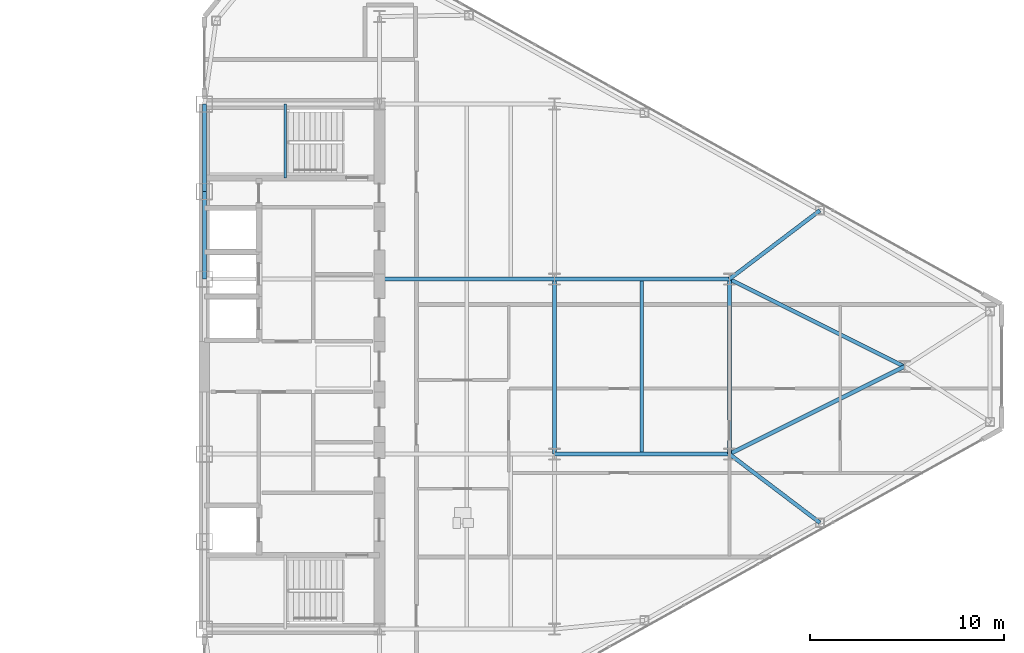
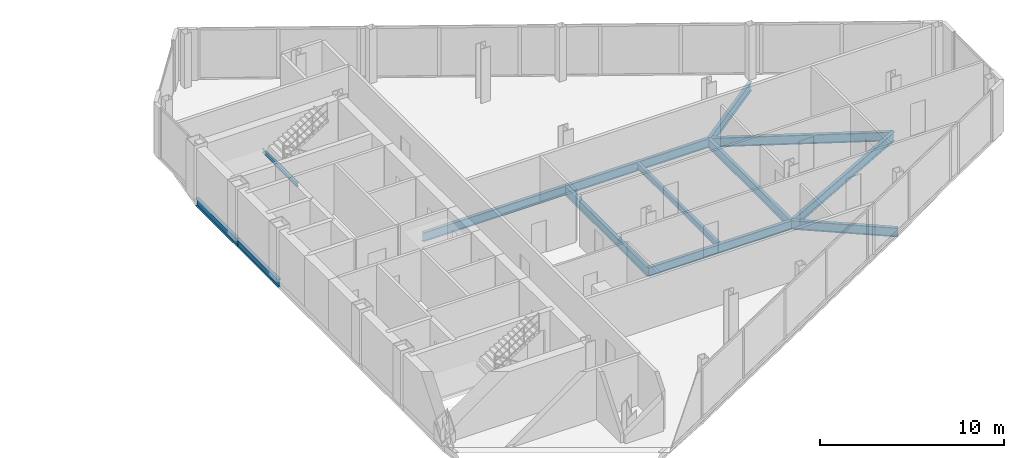
# One storey, part 14 of 26: 13 beams.
"""IFC4 building model written with IfcOpenShell, lengths in metres."""

from ifc_helpers import new_model, si_unit, direction, frame, origin, origin_2d, place, context, subcontext, project, spatial, i_section, extrude, source, transform, mapped, material, material_profile, profile_set, type_object, type_shapes, element, save


model = new_model("IFC4")

# Units and contexts
model_context = context("Model", 3, precision=1e-05, world=origin(), true_north=direction((0.0, 1.0)))
body_context = subcontext(model_context, "Body", "Model", "MODEL_VIEW")
ifc_project = project(units=[si_unit("LENGTHUNIT", "METRE"), si_unit("AREAUNIT", "SQUARE_METRE"), si_unit("VOLUMEUNIT", "CUBIC_METRE"), si_unit("PLANEANGLEUNIT", "RADIAN"), si_unit("MASSUNIT", "GRAM", prefix="KILO")], contexts=[model_context])

# Site, building, storey
site_placement = place(None, origin())
site = spatial("IfcSite", under=ifc_project, at=site_placement, CompositionType="ELEMENT")
building_placement = place(site_placement, origin())
building = spatial("IfcBuilding", under=site, at=building_placement, Name="Seokmaru Belvedere", CompositionType="ELEMENT")
storey_placement = place(building_placement, frame((0.0, 0.0, 192.300048828125)))
storey = spatial("IfcBuildingStorey", under=building, at=storey_placement, Name="L51", CompositionType="ELEMENT", Elevation=192.300048828125)

# Beams
ifc_material = material(Name="Steel SM355 (355 MPa)", Category="steel")
ifc_material_profile_1 = material_profile(ifc_material, i_section(OverallWidth=0.199951171875, OverallDepth=0.5, WebThickness=0.010009765625, FlangeThickness=0.01611328125, at=origin_2d()), Name="H-500x200x10x16")
ifc_profile_set_1 = profile_set([ifc_material_profile_1], Name="Steel SM355 (355 MPa)")
beam_type_1 = type_object("IfcBeamType", Name="Perimeter Spandrel Beam H-500", PredefinedType="SPANDREL", material=ifc_profile_set_1)
shared_shape_1 = source(origin(), body_context, "Body", "SweptSolid", [
    extrude(i_section(OverallWidth=0.199951171875, OverallDepth=0.5, WebThickness=0.010009765625, FlangeThickness=0.01611328125, at=origin_2d()), origin(), (0.0, 0.0, 1.0), 4.5),
])
type_shapes(beam_type_1, [shared_shape_1])
for number, where, z_axis, x_axis, name in (
    (1, (27.5, 4.5, -0.469970703125), (0.0, 1.0, 0.0), (-1.0, 0.0, 0.0), "L51 E Portal Spine Spandrel 4"),
    (2, (27.5, 9.0, -0.469970703125), (0.0, 1.0, 0.0), (-1.0, 0.0, 0.0), "L51 E Portal Spine Spandrel 5"),
):
    element("IfcBeam", number, at=place(storey_placement, frame(where, z_axis=z_axis, x_axis=x_axis)), inside=storey, type_object=beam_type_1, Name=name, PredefinedType="SPANDREL", context=body_context, shape_type="MappedRepresentation", body=[
        mapped(shared_shape_1, transform((0.0, 0.0, 0.0), scale=1.0)),
    ])
ifc_material_profile_2 = material_profile(ifc_material, i_section(OverallWidth=0.199951171875, OverallDepth=0.60009765625, WebThickness=0.010986328125, FlangeThickness=0.01708984375, at=origin_2d()), Name="H-600x200x11x17")
ifc_profile_set_2 = profile_set([ifc_material_profile_2], Name="Steel SM355 (355 MPa)")
beam_type_2 = type_object("IfcBeamType", Name="Primary Floor Girder H-600", PredefinedType="BEAM", material=ifc_profile_set_2)
shared_shape_2 = source(origin(), body_context, "Body", "SweptSolid", [
    extrude(i_section(OverallWidth=0.199951171875, OverallDepth=0.60009765625, WebThickness=0.010986328125, FlangeThickness=0.01708984375, at=origin_2d()), origin(), (0.0, 0.0, 1.0), 9.0),
])
for number, where, z_axis, x_axis, name in (
    (3, (45.5, -4.5, -0.52001953125), (0.0, 1.0, 0.0), (-1.0, 0.0, 0.0), "L51 E Interior Grid Girder 2"),
    (4, (36.5, 4.5, -0.52001953125), (1.0, 0.0, 0.0), (0.0, 1.0, 0.0), "L51 E Wing Primary Girder 3"),
    (5, (45.5, -4.5, -0.52001953125), (1.0, 0.0, 0.0), (0.0, 1.0, 0.0), "L51 E Outer Wing Girder 1"),
    (6, (45.5, 4.5, -0.52001953125), (1.0, 0.0, 0.0), (0.0, 1.0, 0.0), "L51 E Outer Wing Girder 2"),
    (7, (54.5, -4.5, -0.52001953125), (0.0, 1.0, 0.0), (-1.0, 0.0, 0.0), "L51 E Apex Frame Girder"),
):
    element("IfcBeam", number, at=place(storey_placement, frame(where, z_axis=z_axis, x_axis=x_axis)), inside=storey, type_object=beam_type_2, Name=name, PredefinedType="BEAM", context=body_context, shape_type="MappedRepresentation", body=[
        mapped(shared_shape_2, transform((0.0, 0.0, 0.0), scale=1.0)),
    ])
shared_shape_3 = source(origin(), body_context, "Body", "SweptSolid", [
    extrude(i_section(OverallWidth=0.199951171875, OverallDepth=0.60009765625, WebThickness=0.010986328125, FlangeThickness=0.01708984375, at=origin_2d()), origin(), (0.0, 0.0, 1.0), 10.062255859375),
])
for number, where, z_axis, x_axis, name in (
    (8, (54.5, -4.5, -0.52001953125), (0.894427191, 0.4472135955, 0.0), (-0.4472135955, 0.894427191, 0.0), "L51 E Apex Converging Girder 1"),
    (9, (54.5, 4.5, -0.52001953125), (0.894427191, -0.4472135955, 0.0), (0.4472135955, 0.894427191, 0.0), "L51 E Apex Converging Girder 2"),
):
    element("IfcBeam", number, at=place(storey_placement, frame(where, z_axis=z_axis, x_axis=x_axis)), inside=storey, type_object=beam_type_2, Name=name, PredefinedType="BEAM", context=body_context, shape_type="MappedRepresentation", body=[
        mapped(shared_shape_3, transform((0.0, 0.0, 0.0), scale=1.0)),
    ])
ifc_material_profile_3 = material_profile(ifc_material, i_section(OverallWidth=0.18505859375, OverallDepth=0.389892578125, WebThickness=0.008056640625, FlangeThickness=0.011962890625, at=origin_2d()), Name="H-390x185x8x12")
ifc_profile_set_3 = profile_set([ifc_material_profile_3], Name="Steel SM355 (355 MPa)")
beam_type_3 = type_object("IfcBeamType", Name="Secondary Floor Joist H-350", PredefinedType="JOIST", material=ifc_profile_set_3)
shared_shape_4 = source(origin(), body_context, "Body", "SweptSolid", [
    extrude(i_section(OverallWidth=0.18505859375, OverallDepth=0.389892578125, WebThickness=0.008056640625, FlangeThickness=0.011962890625, at=origin_2d()), origin(), (0.0, 0.0, 1.0), 8.7900390625),
])
type_shapes(beam_type_3, [shared_shape_4])
beam_1_placement = place(storey_placement, frame((50.0, -4.39501953125, -0.4150390625), z_axis=(0.0, 1.0, 0.0), x_axis=(-1.0, 0.0, 0.0)))
element("IfcBeam", 10, at=beam_1_placement, inside=storey, type_object=beam_type_3, Name="L51 E Outer Bay Secondary Joist", PredefinedType="JOIST", context=body_context, shape_type="MappedRepresentation", body=[
    mapped(shared_shape_4, transform((0.0, 0.0, 0.0), scale=1.0)),
])
shared_shape_5 = source(origin(), body_context, "Body", "SweptSolid", [
    extrude(i_section(OverallWidth=0.199951171875, OverallDepth=0.60009765625, WebThickness=0.010986328125, FlangeThickness=0.01708984375, at=origin_2d()), origin(), (0.0, 0.0, 1.0), 5.842529296875),
])
type_shapes(beam_type_2, [shared_shape_2, shared_shape_3, shared_shape_5])
for number, where, z_axis, x_axis, name in (
    (11, (59.154541015625, -8.031494140625, -0.52001953125), (-0.796653109879, 0.604436781243, 0.0), (-0.604436781243, -0.796653109879, 0.0), "L51 E Flank Radial Floor Girder S-3"),
    (12, (59.154541015625, 8.031494140625, -0.52001953125), (-0.796653109879, -0.604436781243, 0.0), (0.604436781243, -0.796653109879, 0.0), "L51 E Flank Radial Floor Girder N-3"),
):
    element("IfcBeam", number, at=place(storey_placement, frame(where, z_axis=z_axis, x_axis=x_axis)), inside=storey, type_object=beam_type_2, Name=name, PredefinedType="BEAM", context=body_context, shape_type="MappedRepresentation", body=[
        mapped(shared_shape_5, transform((0.0, 0.0, 0.0), scale=1.0)),
    ])
ifc_material_profile_4 = material_profile(ifc_material, i_section(OverallWidth=0.125, OverallDepth=0.25, WebThickness=0.006103515625, FlangeThickness=0.009033203125, at=origin_2d()), Name="H-250x125x6x9")
ifc_profile_set_4 = profile_set([ifc_material_profile_4], Name="Steel SM355 (355 MPa)")
beam_type_4 = type_object("IfcBeamType", Name="Stair Mid-Landing Support Beam H-250", PredefinedType="JOIST", material=ifc_profile_set_4)
shared_shape_6 = source(origin(), body_context, "Body", "SweptSolid", [
    extrude(i_section(OverallWidth=0.125, OverallDepth=0.25, WebThickness=0.006103515625, FlangeThickness=0.009033203125, at=origin_2d()), origin(), (0.0, 0.0, 1.0), 3.800048828125),
])
type_shapes(beam_type_4, [shared_shape_6])
beam_2_placement = place(storey_placement, frame((31.64990234375, 9.699951171875, 1.474853515625), z_axis=(0.0, 1.0, 0.0), x_axis=(-1.0, 0.0, 0.0)))
element("IfcBeam", 13, at=beam_2_placement, inside=storey, type_object=beam_type_4, Name="L51 Stair ST-E2 Mid-Landing Support Beam 1", PredefinedType="JOIST", context=body_context, shape_type="MappedRepresentation", body=[
    mapped(shared_shape_6, transform((0.0, 0.0, 0.0), scale=1.0)),
])

save(model, "model.ifc")
